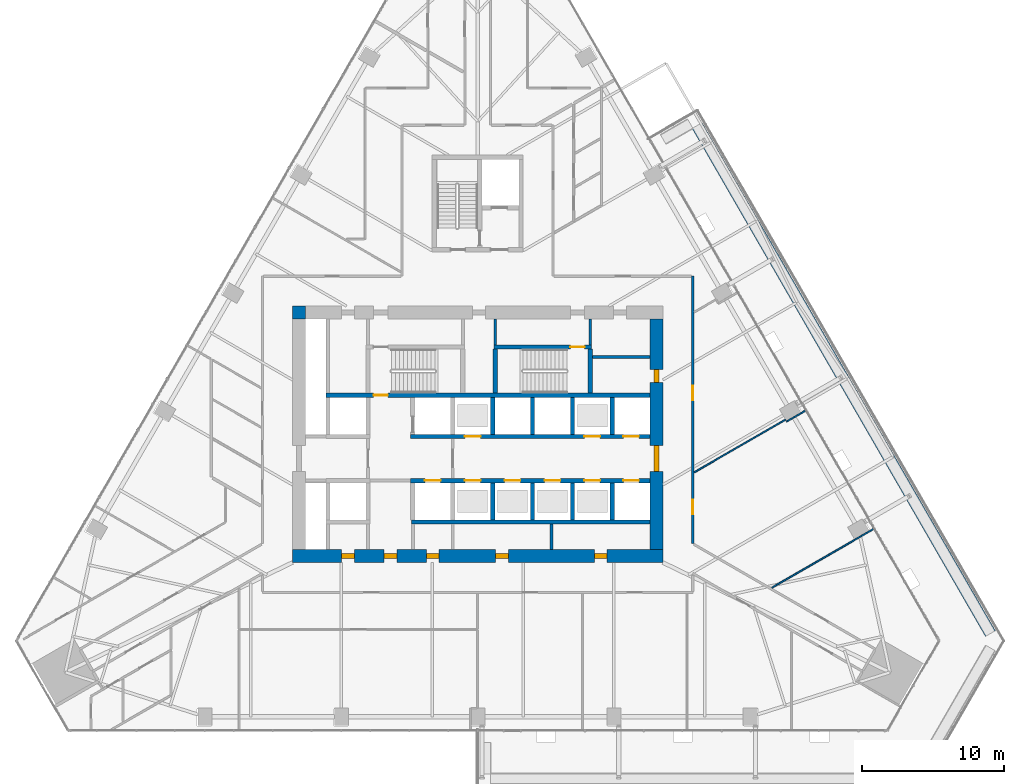
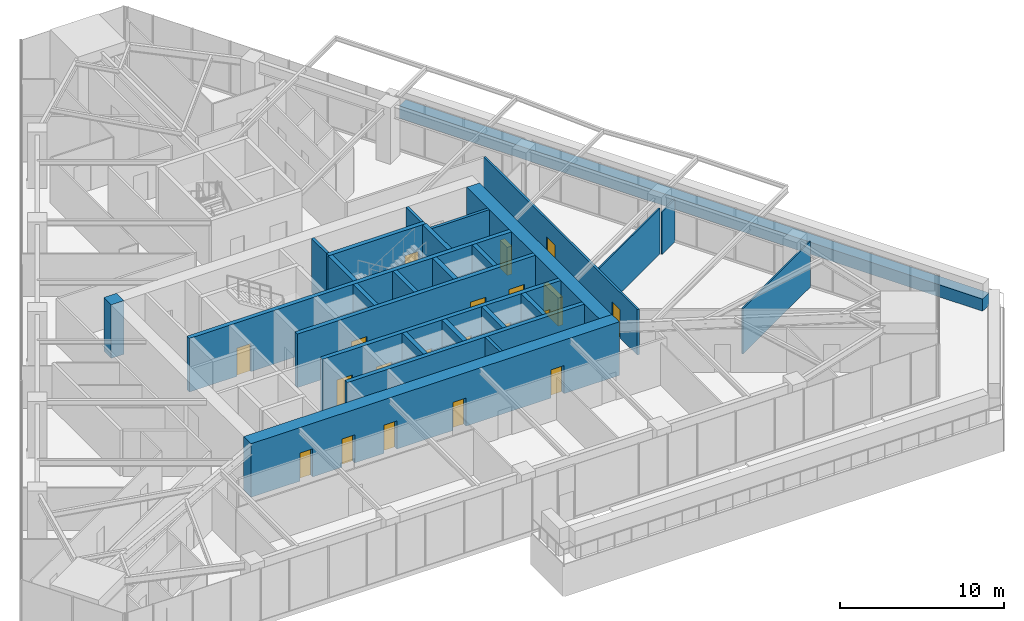
# One storey, part 23 of 29: 27 walls, 20 doors, 20 openings.
"""IFC4 building model written with IfcOpenShell, lengths in metres."""

from ifc_helpers import new_model, si_unit, direction, frame, frame_2d, origin, place, context, subcontext, project, spatial, rectangle, extrude, material, layer, layer_set, type_object, element, fill, save


model = new_model("IFC4")

# Units and contexts
model_context = context("Model", 3, precision=1e-05, world=origin(), true_north=direction((0.0, 1.0)))
body_context = subcontext(model_context, "Body", "Model", "MODEL_VIEW")
ifc_project = project(units=[si_unit("LENGTHUNIT", "METRE"), si_unit("AREAUNIT", "SQUARE_METRE"), si_unit("VOLUMEUNIT", "CUBIC_METRE"), si_unit("PLANEANGLEUNIT", "RADIAN"), si_unit("MASSUNIT", "GRAM", prefix="KILO")], contexts=[model_context])

# Site, building, storey
site_placement = place(None, origin())
site = spatial("IfcSite", under=ifc_project, at=site_placement, CompositionType="ELEMENT")
building_placement = place(site_placement, origin())
building = spatial("IfcBuilding", under=site, at=building_placement, Name="Firuza Gate Tower and Library", CompositionType="ELEMENT")
storey_placement = place(building_placement, frame((0.0, 0.0, 48.39990234375)))
storey = spatial("IfcBuildingStorey", under=building, at=storey_placement, Name="L10", CompositionType="ELEMENT", Elevation=48.39990234375)

# Walls
ifc_material_1 = material(Name="Plasterboard on steel studs", Category="steel")
ifc_layer_1 = layer(ifc_material_1, 0.199951171875)
ifc_layer_set_1 = layer_set([ifc_layer_1], Name="Core partition 200 EI 120")
wall_type_1 = type_object("IfcWallType", Name="Core partition 200 EI 120", PredefinedType="PARTITIONING", material=ifc_layer_set_1)
wall_1_placement = place(storey_placement, frame((80.175048828125, 66.89990234375, 0.0), z_axis=(0.0, 0.0, 1.0), x_axis=(0.0, 1.0, 0.0)))
element("IfcWall", 1, at=wall_1_placement, inside=storey, type_object=wall_type_1, Name="Core partition L10 15", PredefinedType="PARTITIONING", context=body_context, shape_type="SweptSolid", body=[
    extrude(rectangle(XDim=1.800048828125, YDim=0.199951171875, at=frame_2d((0.89990234375, 0.0))), origin(), (0.0, 0.0, 1.0), 4.0),
])
ifc_material_2 = material(Name="Plasterboard on steel studs", Category="steel")
ifc_layer_2 = layer(ifc_material_2, 0.199951171875)
ifc_layer_set_2 = layer_set([ifc_layer_2], Name="Core partition 200 EI 60")
wall_type_2 = type_object("IfcWallType", Name="Core partition 200 EI 60", PredefinedType="PARTITIONING", material=ifc_layer_set_2)
wall_2_placement = place(storey_placement, frame((83.050048828125, 80.425048828125, 0.0), z_axis=(0.0, 0.0, 1.0), x_axis=(1.0, 0.0, 0.0)))
element("IfcWall", 2, at=wall_2_placement, inside=storey, type_object=wall_type_2, Name="Core partition L10 4", PredefinedType="PARTITIONING", context=body_context, shape_type="SweptSolid", body=[
    extrude(rectangle(XDim=4.050048828125, YDim=0.199951171875, at=frame_2d((2.02490234375, 0.0))), origin(), (0.0, 0.0, 1.0), 4.0),
])
for number, where, z_axis, x_axis, name in (
    (3, (76.239990234375, 81.280029296875, 0.0), (0.0, 0.0, 1.0), (0.0, 1.0, 0.0), "Core partition L10 14"),
    (4, (82.89990234375, 81.280029296875, 0.0), (0.0, 0.0, 1.0), (0.0, 1.0, 0.0), "Core partition L10 16"),
):
    element("IfcWall", number, at=place(storey_placement, frame(where, z_axis=z_axis, x_axis=x_axis)), inside=storey, type_object=wall_type_2, Name=name, PredefinedType="PARTITIONING", context=body_context, shape_type="SweptSolid", body=[
        extrude(rectangle(XDim=1.820068359375, YDim=0.199951171875, at=frame_2d((0.91015625, 0.0))), origin(), (0.0, 0.0, 1.0), 4.0),
    ])
ifc_material_3 = material(Name="Concrete C80/95", Category="concrete")
ifc_layer_3 = layer(ifc_material_3, 0.300048828125)
ifc_layer_set_3 = layer_set([ifc_layer_3], Name="Core wall 300 C80/95")
wall_type_3 = type_object("IfcWallType", Name="Core wall 300 C80/95", PredefinedType="SHEAR", material=ifc_layer_set_3)
wall_3_placement = place(storey_placement, frame((70.35009765625, 68.85009765625, 0.0), z_axis=(0.0, 0.0, 1.0), x_axis=(1.0, 0.0, 0.0)))
element("IfcWall", 5, at=wall_3_placement, inside=storey, type_object=wall_type_3, Name="Core wall L10 6", PredefinedType="SHEAR", context=body_context, shape_type="SweptSolid", body=[
    extrude(rectangle(XDim=16.75, YDim=0.300048828125, at=frame_2d((8.375, 0.0))), origin(), (0.0, 0.0, 1.0), 4.0),
])

# Wall, openings, doors
wall_4_placement = place(storey_placement, frame((70.300048828125, 71.75, 0.0), z_axis=(0.0, 0.0, 1.0), x_axis=(1.0, 0.0, 0.0)))
wall_4 = element("IfcWall", 6, at=wall_4_placement, inside=storey, type_object=wall_type_3, Name="Core wall L10 8", PredefinedType="SHEAR", context=body_context, shape_type="SweptSolid", body=[
    extrude(rectangle(XDim=16.800048828125, YDim=0.300048828125, at=frame_2d((8.39990234375, 0.0))), origin(), (0.0, 0.0, 1.0), 4.0),
])
opening_1_placement = place(wall_4_placement, frame((1.0, 0.0, 0.0)))
opening_1 = element("IfcOpeningElement", 7, at=opening_1_placement, cuts=wall_4, Name="Opening LD-FF1-L10", PredefinedType="OPENING", context=body_context, shape_type="SweptSolid", body=[
    extrude(rectangle(XDim=1.10009765625, YDim=2.10009765625, at=frame_2d((0.550048828125, 1.050048828125))), frame((0.0, 0.16015625, 0.0), z_axis=(0.0, -1.0, 0.0), x_axis=(1.0, 0.0, 0.0)), (0.0, 0.0, 1.0), 0.320068359375),
])
opening_2_placement = place(wall_4_placement, frame((3.800048828125, 0.0, 0.0)))
opening_2 = element("IfcOpeningElement", 8, at=opening_2_placement, cuts=wall_4, Name="Opening LD-LR1-L10", PredefinedType="OPENING", context=body_context, shape_type="SweptSolid", body=[
    extrude(rectangle(XDim=1.10009765625, YDim=2.10009765625, at=frame_2d((0.550048828125, 1.050048828125))), frame((0.0, 0.16015625, 0.0), z_axis=(0.0, -1.0, 0.0), x_axis=(1.0, 0.0, 0.0)), (0.0, 0.0, 1.0), 0.320068359375),
])
opening_3_placement = place(wall_4_placement, frame((6.60009765625, 0.0, 0.0)))
opening_3 = element("IfcOpeningElement", 9, at=opening_3_placement, cuts=wall_4, Name="Opening LD-LR2-L10", PredefinedType="OPENING", context=body_context, shape_type="SweptSolid", body=[
    extrude(rectangle(XDim=1.10009765625, YDim=2.10009765625, at=frame_2d((0.550048828125, 1.050048828125))), frame((0.0, 0.16015625, 0.0), z_axis=(0.0, -1.0, 0.0), x_axis=(1.0, 0.0, 0.0)), (0.0, 0.0, 1.0), 0.320068359375),
])
opening_4_placement = place(wall_4_placement, frame((9.39990234375, 0.0, 0.0)))
opening_4 = element("IfcOpeningElement", 10, at=opening_4_placement, cuts=wall_4, Name="Opening LD-LR3-L10", PredefinedType="OPENING", context=body_context, shape_type="SweptSolid", body=[
    extrude(rectangle(XDim=1.10009765625, YDim=2.10009765625, at=frame_2d((0.550048828125, 1.050048828125))), frame((0.0, 0.16015625, 0.0), z_axis=(0.0, -1.0, 0.0), x_axis=(1.0, 0.0, 0.0)), (0.0, 0.0, 1.0), 0.320068359375),
])
opening_5_placement = place(wall_4_placement, frame((12.199951171875, 0.0, 0.0)))
opening_5 = element("IfcOpeningElement", 11, at=opening_5_placement, cuts=wall_4, Name="Opening LD-LR5-L10", PredefinedType="OPENING", context=body_context, shape_type="SweptSolid", body=[
    extrude(rectangle(XDim=1.10009765625, YDim=2.10009765625, at=frame_2d((0.550048828125, 1.050048828125))), frame((0.0, 0.16015625, 0.0), z_axis=(0.0, -1.0, 0.0), x_axis=(1.0, 0.0, 0.0)), (0.0, 0.0, 1.0), 0.320068359375),
])
opening_6_placement = place(wall_4_placement, frame((14.925048828125, 0.0, 0.0)))
opening_6 = element("IfcOpeningElement", 12, at=opening_6_placement, cuts=wall_4, Name="Opening LD-LR7-L10", PredefinedType="OPENING", context=body_context, shape_type="SweptSolid", body=[
    extrude(rectangle(XDim=1.10009765625, YDim=2.10009765625, at=frame_2d((0.550048828125, 1.050048828125))), frame((0.0, 0.16015625, 0.0), z_axis=(0.0, -1.0, 0.0), x_axis=(1.0, 0.0, 0.0)), (0.0, 0.0, 1.0), 0.320068359375),
])
ifc_material_4 = material(Name="Stainless steel", Category="steel")
door_type_1 = type_object("IfcDoorType", Name="Lift landing door 1100x2100", OperationType="DOUBLE_DOOR_SLIDING", PredefinedType="DOOR", material=ifc_material_4)
door_1_placement = place(opening_1_placement, origin())
door_1 = element("IfcDoor", 13, at=door_1_placement, inside=storey, type_object=door_type_1, Name="Landing door FF1 L10", OperationType="DOUBLE_DOOR_SLIDING", OverallHeight=2.10009765625, OverallWidth=1.10009765625, PredefinedType="DOOR", context=body_context, shape_type="SweptSolid", body=[
    extrude(rectangle(XDim=1.10009765625, YDim=2.10009765625, at=frame_2d((0.550048828125, 1.050048828125))), frame((0.0, 0.02490234375, 0.0), z_axis=(0.0, -1.0, 0.0), x_axis=(1.0, 0.0, 0.0)), (0.0, 0.0, 1.0), 0.050048828125),
])
fill(opening_1, door_1)
door_2_placement = place(opening_2_placement, origin())
door_2 = element("IfcDoor", 14, at=door_2_placement, inside=storey, type_object=door_type_1, Name="Landing door LR1 L10", OperationType="DOUBLE_DOOR_SLIDING", OverallHeight=2.10009765625, OverallWidth=1.10009765625, PredefinedType="DOOR", context=body_context, shape_type="SweptSolid", body=[
    extrude(rectangle(XDim=1.10009765625, YDim=2.10009765625, at=frame_2d((0.550048828125, 1.050048828125))), frame((0.0, 0.02490234375, 0.0), z_axis=(0.0, -1.0, 0.0), x_axis=(1.0, 0.0, 0.0)), (0.0, 0.0, 1.0), 0.050048828125),
])
fill(opening_2, door_2)
door_3_placement = place(opening_3_placement, origin())
door_3 = element("IfcDoor", 15, at=door_3_placement, inside=storey, type_object=door_type_1, Name="Landing door LR2 L10", OperationType="DOUBLE_DOOR_SLIDING", OverallHeight=2.10009765625, OverallWidth=1.10009765625, PredefinedType="DOOR", context=body_context, shape_type="SweptSolid", body=[
    extrude(rectangle(XDim=1.10009765625, YDim=2.10009765625, at=frame_2d((0.550048828125, 1.050048828125))), frame((0.0, 0.02490234375, 0.0), z_axis=(0.0, -1.0, 0.0), x_axis=(1.0, 0.0, 0.0)), (0.0, 0.0, 1.0), 0.050048828125),
])
fill(opening_3, door_3)
door_4_placement = place(opening_4_placement, origin())
door_4 = element("IfcDoor", 16, at=door_4_placement, inside=storey, type_object=door_type_1, Name="Landing door LR3 L10", OperationType="DOUBLE_DOOR_SLIDING", OverallHeight=2.10009765625, OverallWidth=1.10009765625, PredefinedType="DOOR", context=body_context, shape_type="SweptSolid", body=[
    extrude(rectangle(XDim=1.10009765625, YDim=2.10009765625, at=frame_2d((0.550048828125, 1.050048828125))), frame((0.0, 0.02490234375, 0.0), z_axis=(0.0, -1.0, 0.0), x_axis=(1.0, 0.0, 0.0)), (0.0, 0.0, 1.0), 0.050048828125),
])
fill(opening_4, door_4)
door_5_placement = place(opening_5_placement, origin())
door_5 = element("IfcDoor", 17, at=door_5_placement, inside=storey, type_object=door_type_1, Name="Landing door LR5 L10", OperationType="DOUBLE_DOOR_SLIDING", OverallHeight=2.10009765625, OverallWidth=1.10009765625, PredefinedType="DOOR", context=body_context, shape_type="SweptSolid", body=[
    extrude(rectangle(XDim=1.10009765625, YDim=2.10009765625, at=frame_2d((0.550048828125, 1.050048828125))), frame((0.0, 0.02490234375, 0.0), z_axis=(0.0, -1.0, 0.0), x_axis=(1.0, 0.0, 0.0)), (0.0, 0.0, 1.0), 0.050048828125),
])
fill(opening_5, door_5)
door_6_placement = place(opening_6_placement, origin())
door_6 = element("IfcDoor", 18, at=door_6_placement, inside=storey, type_object=door_type_1, Name="Landing door LR7 L10", OperationType="DOUBLE_DOOR_SLIDING", OverallHeight=2.10009765625, OverallWidth=1.10009765625, PredefinedType="DOOR", context=body_context, shape_type="SweptSolid", body=[
    extrude(rectangle(XDim=1.10009765625, YDim=2.10009765625, at=frame_2d((0.550048828125, 1.050048828125))), frame((0.0, 0.02490234375, 0.0), z_axis=(0.0, -1.0, 0.0), x_axis=(1.0, 0.0, 0.0)), (0.0, 0.0, 1.0), 0.050048828125),
])
fill(opening_6, door_6)

wall_5_placement = place(storey_placement, frame((70.300048828125, 74.85009765625, 0.0), z_axis=(0.0, 0.0, 1.0), x_axis=(1.0, 0.0, 0.0)))
wall_5 = element("IfcWall", 19, at=wall_5_placement, inside=storey, type_object=wall_type_3, Name="Core wall L10 10", PredefinedType="SHEAR", context=body_context, shape_type="SweptSolid", body=[
    extrude(rectangle(XDim=16.800048828125, YDim=0.300048828125, at=frame_2d((8.39990234375, 0.0))), origin(), (0.0, 0.0, 1.0), 4.0),
])
opening_7_placement = place(wall_5_placement, frame((3.800048828125, 0.0, 0.0)))
opening_7 = element("IfcOpeningElement", 20, at=opening_7_placement, cuts=wall_5, Name="Opening LD-LR4-L10", PredefinedType="OPENING", context=body_context, shape_type="SweptSolid", body=[
    extrude(rectangle(XDim=1.10009765625, YDim=2.10009765625, at=frame_2d((0.550048828125, 1.050048828125))), frame((0.0, 0.16015625, 0.0), z_axis=(0.0, -1.0, 0.0), x_axis=(1.0, 0.0, 0.0)), (0.0, 0.0, 1.0), 0.320068359375),
])
opening_8_placement = place(wall_5_placement, frame((12.199951171875, 0.0, 0.0)))
opening_8 = element("IfcOpeningElement", 21, at=opening_8_placement, cuts=wall_5, Name="Opening LD-LR6-L10", PredefinedType="OPENING", context=body_context, shape_type="SweptSolid", body=[
    extrude(rectangle(XDim=1.10009765625, YDim=2.10009765625, at=frame_2d((0.550048828125, 1.050048828125))), frame((0.0, 0.16015625, 0.0), z_axis=(0.0, -1.0, 0.0), x_axis=(1.0, 0.0, 0.0)), (0.0, 0.0, 1.0), 0.320068359375),
])
opening_9_placement = place(wall_5_placement, frame((14.925048828125, 0.0, 0.0)))
opening_9 = element("IfcOpeningElement", 22, at=opening_9_placement, cuts=wall_5, Name="Opening LD-LR8-L10", PredefinedType="OPENING", context=body_context, shape_type="SweptSolid", body=[
    extrude(rectangle(XDim=1.10009765625, YDim=2.10009765625, at=frame_2d((0.550048828125, 1.050048828125))), frame((0.0, 0.16015625, 0.0), z_axis=(0.0, -1.0, 0.0), x_axis=(1.0, 0.0, 0.0)), (0.0, 0.0, 1.0), 0.320068359375),
])
door_7_placement = place(opening_7_placement, origin())
door_7 = element("IfcDoor", 23, at=door_7_placement, inside=storey, type_object=door_type_1, Name="Landing door LR4 L10", OperationType="DOUBLE_DOOR_SLIDING", OverallHeight=2.10009765625, OverallWidth=1.10009765625, PredefinedType="DOOR", context=body_context, shape_type="SweptSolid", body=[
    extrude(rectangle(XDim=1.10009765625, YDim=2.10009765625, at=frame_2d((0.550048828125, 1.050048828125))), frame((0.0, 0.02490234375, 0.0), z_axis=(0.0, -1.0, 0.0), x_axis=(1.0, 0.0, 0.0)), (0.0, 0.0, 1.0), 0.050048828125),
])
fill(opening_7, door_7)
door_8_placement = place(opening_8_placement, origin())
door_8 = element("IfcDoor", 24, at=door_8_placement, inside=storey, type_object=door_type_1, Name="Landing door LR6 L10", OperationType="DOUBLE_DOOR_SLIDING", OverallHeight=2.10009765625, OverallWidth=1.10009765625, PredefinedType="DOOR", context=body_context, shape_type="SweptSolid", body=[
    extrude(rectangle(XDim=1.10009765625, YDim=2.10009765625, at=frame_2d((0.550048828125, 1.050048828125))), frame((0.0, 0.02490234375, 0.0), z_axis=(0.0, -1.0, 0.0), x_axis=(1.0, 0.0, 0.0)), (0.0, 0.0, 1.0), 0.050048828125),
])
fill(opening_8, door_8)
door_9_placement = place(opening_9_placement, origin())
door_9 = element("IfcDoor", 25, at=door_9_placement, inside=storey, type_object=door_type_1, Name="Landing door LR8 L10", OperationType="DOUBLE_DOOR_SLIDING", OverallHeight=2.10009765625, OverallWidth=1.10009765625, PredefinedType="DOOR", context=body_context, shape_type="SweptSolid", body=[
    extrude(rectangle(XDim=1.10009765625, YDim=2.10009765625, at=frame_2d((0.550048828125, 1.050048828125))), frame((0.0, 0.02490234375, 0.0), z_axis=(0.0, -1.0, 0.0), x_axis=(1.0, 0.0, 0.0)), (0.0, 0.0, 1.0), 0.050048828125),
])
fill(opening_9, door_9)

# Walls
for number, where, z_axis, x_axis, name in (
    (26, (76.050048828125, 69.0, 0.0), (0.0, 0.0, 1.0), (0.0, 1.0, 0.0), "Core wall L10 19"),
    (27, (76.050048828125, 75.0, 0.0), (0.0, 0.0, 1.0), (0.0, 1.0, 0.0), "Core wall L10 20"),
    (28, (78.85009765625, 69.0, 0.0), (0.0, 0.0, 1.0), (0.0, 1.0, 0.0), "Core wall L10 21"),
    (29, (78.85009765625, 75.0, 0.0), (0.0, 0.0, 1.0), (0.0, 1.0, 0.0), "Core wall L10 22"),
    (30, (81.64990234375, 69.0, 0.0), (0.0, 0.0, 1.0), (0.0, 1.0, 0.0), "Core wall L10 23"),
    (31, (81.64990234375, 75.0, 0.0), (0.0, 0.0, 1.0), (0.0, 1.0, 0.0), "Core wall L10 24"),
    (32, (84.449951171875, 69.0, 0.0), (0.0, 0.0, 1.0), (0.0, 1.0, 0.0), "Core wall L10 25"),
    (33, (84.449951171875, 75.0, 0.0), (0.0, 0.0, 1.0), (0.0, 1.0, 0.0), "Core wall L10 26"),
):
    element("IfcWall", number, at=place(storey_placement, frame(where, z_axis=z_axis, x_axis=x_axis)), inside=storey, type_object=wall_type_3, Name=name, PredefinedType="SHEAR", context=body_context, shape_type="SweptSolid", body=[
        extrude(rectangle(XDim=2.60009765625, YDim=0.300048828125, at=frame_2d((1.300048828125, 0.0))), origin(), (0.0, 0.0, 1.0), 4.0),
    ])

# Wall, opening, door
wall_6_placement = place(storey_placement, frame((64.35009765625, 77.75, 0.0), z_axis=(0.0, 0.0, 1.0), x_axis=(1.0, 0.0, 0.0)))
wall_6 = element("IfcWall", 34, at=wall_6_placement, inside=storey, type_object=wall_type_3, Name="Core wall L10 27", PredefinedType="SHEAR", context=body_context, shape_type="SweptSolid", body=[
    extrude(rectangle(XDim=22.75, YDim=0.300048828125, at=frame_2d((11.375, 0.0))), origin(), (0.0, 0.0, 1.0), 4.0),
])
opening_10_placement = place(wall_6_placement, frame((3.344970703125, 0.0, 0.0)))
opening_10 = element("IfcOpeningElement", 35, at=opening_10_placement, cuts=wall_6, Name="Opening L10-K12", PredefinedType="OPENING", context=body_context, shape_type="SweptSolid", body=[
    extrude(rectangle(XDim=1.0, YDim=2.10009765625, at=frame_2d((0.5, 1.050048828125))), frame((0.0, 0.16015625, 0.0), z_axis=(0.0, -1.0, 0.0), x_axis=(1.0, 0.0, 0.0)), (0.0, 0.0, 1.0), 0.320068359375),
])
ifc_material_5 = material(Name="Steel", Category="steel")
door_type_2 = type_object("IfcDoorType", Name="Fire door 1000x2100 FD90", OperationType="NOTDEFINED", PredefinedType="DOOR", material=ifc_material_5)
door_10_placement = place(opening_10_placement, origin())
door_10 = element("IfcDoor", 36, at=door_10_placement, inside=storey, type_object=door_type_2, Name="Door L10-K12", OperationType="SINGLE_SWING_LEFT", OverallHeight=2.10009765625, OverallWidth=1.0, PredefinedType="DOOR", context=body_context, shape_type="SweptSolid", body=[
    extrude(rectangle(XDim=1.0, YDim=2.10009765625, at=frame_2d((0.5, 1.050048828125))), frame((0.0, 0.02490234375, 0.0), z_axis=(0.0, -1.0, 0.0), x_axis=(1.0, 0.0, 0.0)), (0.0, 0.0, 1.0), 0.050048828125),
])
fill(opening_10, door_10)

wall_7_placement = place(storey_placement, frame((76.139892578125, 81.1298828125, 0.0), z_axis=(0.0, 0.0, 1.0), x_axis=(1.0, 0.0, 0.0)))
wall_7 = element("IfcWall", 37, at=wall_7_placement, inside=storey, type_object=wall_type_3, Name="Core wall L10 29", PredefinedType="SHEAR", context=body_context, shape_type="SweptSolid", body=[
    extrude(rectangle(XDim=6.860107421875, YDim=0.300048828125, at=frame_2d((3.43017578125, 0.0))), origin(), (0.0, 0.0, 1.0), 4.0),
])
opening_11_placement = place(wall_7_placement, frame((5.364990234375, 0.0, 0.0)))
opening_11 = element("IfcOpeningElement", 38, at=opening_11_placement, cuts=wall_7, Name="Opening L10-K15", PredefinedType="OPENING", context=body_context, shape_type="SweptSolid", body=[
    extrude(rectangle(XDim=1.0, YDim=2.10009765625, at=frame_2d((0.5, 1.050048828125))), frame((0.0, 0.16015625, 0.0), z_axis=(0.0, -1.0, 0.0), x_axis=(1.0, 0.0, 0.0)), (0.0, 0.0, 1.0), 0.320068359375),
])
door_11_placement = place(opening_11_placement, origin())
door_11 = element("IfcDoor", 39, at=door_11_placement, inside=storey, type_object=door_type_2, Name="Door L10-K15", OperationType="SINGLE_SWING_RIGHT", OverallHeight=2.10009765625, OverallWidth=1.0, PredefinedType="DOOR", context=body_context, shape_type="SweptSolid", body=[
    extrude(rectangle(XDim=1.0, YDim=2.10009765625, at=frame_2d((0.5, 1.050048828125))), frame((0.0, 0.02490234375, 0.0), z_axis=(0.0, -1.0, 0.0), x_axis=(1.0, 0.0, 0.0)), (0.0, 0.0, 1.0), 0.050048828125),
])
fill(opening_11, door_11)

# Walls
for number, where, z_axis, x_axis, name in (
    (40, (76.239990234375, 77.89990234375, 0.0), (0.0, 0.0, 1.0), (0.0, 1.0, 0.0), "Core wall L10 32"),
    (41, (82.89990234375, 77.89990234375, 0.0), (0.0, 0.0, 1.0), (0.0, 1.0, 0.0), "Core wall L10 33"),
):
    element("IfcWall", number, at=place(storey_placement, frame(where, z_axis=z_axis, x_axis=x_axis)), inside=storey, type_object=wall_type_3, Name=name, PredefinedType="SHEAR", context=body_context, shape_type="SweptSolid", body=[
        extrude(rectangle(XDim=3.080078125, YDim=0.300048828125, at=frame_2d((1.5400390625, 0.0))), origin(), (0.0, 0.0, 1.0), 4.0),
    ])

# Wall, openings, doors
ifc_material_6 = material(Name="Concrete C80/95", Category="concrete")
ifc_layer_4 = layer(ifc_material_6, 0.89990234375)
ifc_layer_set_4 = layer_set([ifc_layer_4], Name="Core wall 900 C80/95")
wall_type_4 = type_object("IfcWallType", Name="Core wall 900 C80/95", PredefinedType="SHEAR", material=ifc_layer_set_4)
wall_8_placement = place(storey_placement, frame((62.0, 66.449951171875, 0.0), z_axis=(0.0, 0.0, 1.0), x_axis=(1.0, 0.0, 0.0)))
wall_8 = element("IfcWall", 42, at=wall_8_placement, inside=storey, type_object=wall_type_4, Name="Core wall L10 1", PredefinedType="SHEAR", context=body_context, shape_type="SweptSolid", body=[
    extrude(rectangle(XDim=26.0, YDim=0.89990234375, at=frame_2d((13.0, 0.0))), origin(), (0.0, 0.0, 1.0), 4.0),
])
opening_12_placement = place(wall_8_placement, frame((3.449951171875, 0.0, 0.0)))
opening_12 = element("IfcOpeningElement", 43, at=opening_12_placement, cuts=wall_8, Name="Opening L10-K24", PredefinedType="OPENING", context=body_context, shape_type="SweptSolid", body=[
    extrude(rectangle(XDim=0.89990234375, YDim=2.10009765625, at=frame_2d((0.449951171875, 1.050048828125))), frame((0.0, 0.4599609375, 0.0), z_axis=(0.0, -1.0, 0.0), x_axis=(1.0, 0.0, 0.0)), (0.0, 0.0, 1.0), 0.919921875),
])
opening_13_placement = place(wall_8_placement, frame((6.425048828125, 0.0, 0.0)))
opening_13 = element("IfcOpeningElement", 44, at=opening_13_placement, cuts=wall_8, Name="Opening L10-K25", PredefinedType="OPENING", context=body_context, shape_type="SweptSolid", body=[
    extrude(rectangle(XDim=0.89990234375, YDim=2.10009765625, at=frame_2d((0.449951171875, 1.050048828125))), frame((0.0, 0.4599609375, 0.0), z_axis=(0.0, -1.0, 0.0), x_axis=(1.0, 0.0, 0.0)), (0.0, 0.0, 1.0), 0.919921875),
])
opening_14_placement = place(wall_8_placement, frame((9.39990234375, 0.0, 0.0)))
opening_14 = element("IfcOpeningElement", 45, at=opening_14_placement, cuts=wall_8, Name="Opening L10-K26", PredefinedType="OPENING", context=body_context, shape_type="SweptSolid", body=[
    extrude(rectangle(XDim=0.89990234375, YDim=2.10009765625, at=frame_2d((0.449951171875, 1.050048828125))), frame((0.0, 0.4599609375, 0.0), z_axis=(0.0, -1.0, 0.0), x_axis=(1.0, 0.0, 0.0)), (0.0, 0.0, 1.0), 0.919921875),
])
opening_15_placement = place(wall_8_placement, frame((14.262451171875, 0.0, 0.0)))
opening_15 = element("IfcOpeningElement", 46, at=opening_15_placement, cuts=wall_8, Name="Opening L10-K27", PredefinedType="OPENING", context=body_context, shape_type="SweptSolid", body=[
    extrude(rectangle(XDim=0.89990234375, YDim=2.10009765625, at=frame_2d((0.449951171875, 1.050048828125))), frame((0.0, 0.4599609375, 0.0), z_axis=(0.0, -1.0, 0.0), x_axis=(1.0, 0.0, 0.0)), (0.0, 0.0, 1.0), 0.919921875),
])
opening_16_placement = place(wall_8_placement, frame((21.1875, 0.0, 0.0)))
opening_16 = element("IfcOpeningElement", 47, at=opening_16_placement, cuts=wall_8, Name="Opening L10-K28", PredefinedType="OPENING", context=body_context, shape_type="SweptSolid", body=[
    extrude(rectangle(XDim=0.89990234375, YDim=2.10009765625, at=frame_2d((0.449951171875, 1.050048828125))), frame((0.0, 0.4599609375, 0.0), z_axis=(0.0, -1.0, 0.0), x_axis=(1.0, 0.0, 0.0)), (0.0, 0.0, 1.0), 0.919921875),
])
ifc_material_7 = material(Name="Steel", Category="steel")
door_type_3 = type_object("IfcDoorType", Name="Fire door 900x2100 FD30S", OperationType="NOTDEFINED", PredefinedType="DOOR", material=ifc_material_7)
door_12_placement = place(opening_12_placement, origin())
door_12 = element("IfcDoor", 48, at=door_12_placement, inside=storey, type_object=door_type_3, Name="Door L10-K24", OperationType="SINGLE_SWING_LEFT", OverallHeight=2.10009765625, OverallWidth=0.89990234375, PredefinedType="DOOR", context=body_context, shape_type="SweptSolid", body=[
    extrude(rectangle(XDim=0.89990234375, YDim=2.10009765625, at=frame_2d((0.449951171875, 1.050048828125))), frame((0.0, 0.169921875, 0.0), z_axis=(0.0, -1.0, 0.0), x_axis=(1.0, 0.0, 0.0)), (0.0, 0.0, 1.0), 0.33984375),
])
fill(opening_12, door_12)
door_13_placement = place(opening_13_placement, origin())
door_13 = element("IfcDoor", 49, at=door_13_placement, inside=storey, type_object=door_type_3, Name="Door L10-K25", OperationType="SINGLE_SWING_RIGHT", OverallHeight=2.10009765625, OverallWidth=0.89990234375, PredefinedType="DOOR", context=body_context, shape_type="SweptSolid", body=[
    extrude(rectangle(XDim=0.89990234375, YDim=2.10009765625, at=frame_2d((0.449951171875, 1.050048828125))), frame((0.0, 0.169921875, 0.0), z_axis=(0.0, -1.0, 0.0), x_axis=(1.0, 0.0, 0.0)), (0.0, 0.0, 1.0), 0.33984375),
])
fill(opening_13, door_13)
door_14_placement = place(opening_14_placement, origin())
door_14 = element("IfcDoor", 50, at=door_14_placement, inside=storey, type_object=door_type_3, Name="Door L10-K26", OperationType="SINGLE_SWING_LEFT", OverallHeight=2.10009765625, OverallWidth=0.89990234375, PredefinedType="DOOR", context=body_context, shape_type="SweptSolid", body=[
    extrude(rectangle(XDim=0.89990234375, YDim=2.10009765625, at=frame_2d((0.449951171875, 1.050048828125))), frame((0.0, 0.169921875, 0.0), z_axis=(0.0, -1.0, 0.0), x_axis=(1.0, 0.0, 0.0)), (0.0, 0.0, 1.0), 0.33984375),
])
fill(opening_14, door_14)
door_15_placement = place(opening_15_placement, origin())
door_15 = element("IfcDoor", 51, at=door_15_placement, inside=storey, type_object=door_type_3, Name="Door L10-K27", OperationType="SINGLE_SWING_RIGHT", OverallHeight=2.10009765625, OverallWidth=0.89990234375, PredefinedType="DOOR", context=body_context, shape_type="SweptSolid", body=[
    extrude(rectangle(XDim=0.89990234375, YDim=2.10009765625, at=frame_2d((0.449951171875, 1.050048828125))), frame((0.0, 0.169921875, 0.0), z_axis=(0.0, -1.0, 0.0), x_axis=(1.0, 0.0, 0.0)), (0.0, 0.0, 1.0), 0.33984375),
])
fill(opening_15, door_15)
door_16_placement = place(opening_16_placement, origin())
door_16 = element("IfcDoor", 52, at=door_16_placement, inside=storey, type_object=door_type_3, Name="Door L10-K28", OperationType="SINGLE_SWING_LEFT", OverallHeight=2.10009765625, OverallWidth=0.89990234375, PredefinedType="DOOR", context=body_context, shape_type="SweptSolid", body=[
    extrude(rectangle(XDim=0.89990234375, YDim=2.10009765625, at=frame_2d((0.449951171875, 1.050048828125))), frame((0.0, 0.169921875, 0.0), z_axis=(0.0, -1.0, 0.0), x_axis=(1.0, 0.0, 0.0)), (0.0, 0.0, 1.0), 0.33984375),
])
fill(opening_16, door_16)

wall_9_placement = place(storey_placement, frame((87.550048828125, 66.89990234375, 0.0), z_axis=(0.0, 0.0, 1.0), x_axis=(0.0, 1.0, 0.0)))
wall_9 = element("IfcWall", 53, at=wall_9_placement, inside=storey, type_object=wall_type_4, Name="Core wall L10 4", PredefinedType="SHEAR", context=body_context, shape_type="SweptSolid", body=[
    extrude(rectangle(XDim=16.2001953125, YDim=0.89990234375, at=frame_2d((8.10009765625, 0.0))), origin(), (0.0, 0.0, 1.0), 4.0),
])
opening_17_placement = place(wall_9_placement, frame((5.5, 0.0, 0.0)))
opening_17 = element("IfcOpeningElement", 54, at=opening_17_placement, cuts=wall_9, Name="Opening L10-K23", PredefinedType="OPENING", context=body_context, shape_type="SweptSolid", body=[
    extrude(rectangle(XDim=1.800048828125, YDim=2.10009765625, at=frame_2d((0.89990234375, 1.050048828125))), frame((0.0, 0.4599609375, 0.0), z_axis=(0.0, -1.0, 0.0), x_axis=(1.0, 0.0, 0.0)), (0.0, 0.0, 1.0), 0.919921875),
])
opening_18_placement = place(wall_9_placement, frame((11.737548828125, 0.0, 0.0)))
opening_18 = element("IfcOpeningElement", 55, at=opening_18_placement, cuts=wall_9, Name="Opening L10-K31", PredefinedType="OPENING", context=body_context, shape_type="SweptSolid", body=[
    extrude(rectangle(XDim=0.89990234375, YDim=2.10009765625, at=frame_2d((0.449951171875, 1.050048828125))), frame((0.0, 0.4599609375, 0.0), z_axis=(0.0, -1.0, 0.0), x_axis=(1.0, 0.0, 0.0)), (0.0, 0.0, 1.0), 0.919921875),
])
ifc_material_8 = material(Name="Steel", Category="steel")
door_type_4 = type_object("IfcDoorType", Name="Fire door 1800x2100 FD30S", OperationType="NOTDEFINED", PredefinedType="DOOR", material=ifc_material_8)
door_17_placement = place(opening_17_placement, origin())
door_17 = element("IfcDoor", 56, at=door_17_placement, inside=storey, type_object=door_type_4, Name="Door L10-K23", OperationType="SINGLE_SWING_RIGHT", OverallHeight=2.10009765625, OverallWidth=1.800048828125, PredefinedType="DOOR", context=body_context, shape_type="SweptSolid", body=[
    extrude(rectangle(XDim=1.800048828125, YDim=2.10009765625, at=frame_2d((0.89990234375, 1.050048828125))), frame((0.0, 0.169921875, 0.0), z_axis=(0.0, -1.0, 0.0), x_axis=(1.0, 0.0, 0.0)), (0.0, 0.0, 1.0), 0.33984375),
])
fill(opening_17, door_17)
door_18_placement = place(opening_18_placement, origin())
door_18 = element("IfcDoor", 57, at=door_18_placement, inside=storey, type_object=door_type_3, Name="Door L10-K31", OperationType="SINGLE_SWING_RIGHT", OverallHeight=2.10009765625, OverallWidth=0.89990234375, PredefinedType="DOOR", context=body_context, shape_type="SweptSolid", body=[
    extrude(rectangle(XDim=0.89990234375, YDim=2.10009765625, at=frame_2d((0.449951171875, 1.050048828125))), frame((0.0, 0.169921875, 0.0), z_axis=(0.0, -1.0, 0.0), x_axis=(1.0, 0.0, 0.0)), (0.0, 0.0, 1.0), 0.33984375),
])
fill(opening_18, door_18)

# Wall
wall_10_placement = place(storey_placement, frame((62.0, 83.550048828125, 0.0), z_axis=(0.0, 0.0, 1.0), x_axis=(1.0, 0.0, 0.0)))
element("IfcWall", 58, at=wall_10_placement, inside=storey, type_object=wall_type_4, Name="Core wall L10 40", PredefinedType="SHEAR", context=body_context, shape_type="SweptSolid", body=[
    extrude(rectangle(XDim=0.89990234375, YDim=0.89990234375, at=frame_2d((0.449951171875, 0.0))), origin(), (0.0, 0.0, 1.0), 4.0),
])

# Wall, openings, doors
ifc_material_9 = material(Name="Gypsum board partition")
ifc_layer_5 = layer(ifc_material_9, 0.14990234375)
ifc_layer_set_5 = layer_set([ifc_layer_5], Name="Corridor wall 150 double board on steel studs")
wall_type_5 = type_object("IfcWallType", Name="Corridor wall 150 double board on steel studs", PredefinedType="PARTITIONING", material=ifc_layer_set_5)
wall_11_placement = place(storey_placement, frame((90.10009765625, 86.099609375, 0.0), z_axis=(0.0, 0.0, 1.0), x_axis=(0.0, -1.0, 0.0)))
wall_11 = element("IfcWall", 59, at=wall_11_placement, inside=storey, type_object=wall_type_5, Name="f:L10:w030", PredefinedType="PARTITIONING", context=body_context, shape_type="SweptSolid", body=[
    extrude(rectangle(XDim=18.7783203125, YDim=0.14990234375, at=frame_2d((9.38916015625, 0.0))), origin(), (0.0, 0.0, 1.0), 3.400146484375),
])
opening_19_placement = place(wall_11_placement, frame((7.703857421875, 0.0, 0.0)))
opening_19 = element("IfcOpeningElement", 60, at=opening_19_placement, cuts=wall_11, Name="Opening L10-19", PredefinedType="OPENING", context=body_context, shape_type="SweptSolid", body=[
    extrude(rectangle(XDim=1.0, YDim=2.10009765625, at=frame_2d((0.5, 1.050048828125))), frame((0.0, 0.0849609375, 0.0), z_axis=(0.0, -1.0, 0.0), x_axis=(1.0, 0.0, 0.0)), (0.0, 0.0, 1.0), 0.169921875),
])
opening_20_placement = place(wall_11_placement, frame((15.700927734375, 0.0, 0.0)))
opening_20 = element("IfcOpeningElement", 61, at=opening_20_placement, cuts=wall_11, Name="Opening L10-20", PredefinedType="OPENING", context=body_context, shape_type="SweptSolid", body=[
    extrude(rectangle(XDim=1.0, YDim=2.10009765625, at=frame_2d((0.5, 1.050048828125))), frame((0.0, 0.0849609375, 0.0), z_axis=(0.0, -1.0, 0.0), x_axis=(1.0, 0.0, 0.0)), (0.0, 0.0, 1.0), 0.169921875),
])
ifc_material_10 = material(Name="Steel door and timber leaf", Category="steel")
door_type_5 = type_object("IfcDoorType", Name="Fire door 1000 x 2100 steel frame, timber leaf", OperationType="NOTDEFINED", PredefinedType="DOOR", material=ifc_material_10)
door_19_placement = place(opening_19_placement, origin())
door_19 = element("IfcDoor", 62, at=door_19_placement, inside=storey, type_object=door_type_5, Name="f:L10:d019", OperationType="SINGLE_SWING_LEFT", OverallHeight=2.10009765625, OverallWidth=1.0, PredefinedType="DOOR", context=body_context, shape_type="SweptSolid", body=[
    extrude(rectangle(XDim=1.0, YDim=2.10009765625, at=frame_2d((0.5, 1.050048828125))), frame((0.0, 0.02490234375, 0.0), z_axis=(0.0, -1.0, 0.0), x_axis=(1.0, 0.0, 0.0)), (0.0, 0.0, 1.0), 0.050048828125),
])
fill(opening_19, door_19)
door_20_placement = place(opening_20_placement, origin())
door_20 = element("IfcDoor", 63, at=door_20_placement, inside=storey, type_object=door_type_5, Name="f:L10:d020", OperationType="SINGLE_SWING_RIGHT", OverallHeight=2.10009765625, OverallWidth=1.0, PredefinedType="DOOR", context=body_context, shape_type="SweptSolid", body=[
    extrude(rectangle(XDim=1.0, YDim=2.10009765625, at=frame_2d((0.5, 1.050048828125))), frame((0.0, 0.02490234375, 0.0), z_axis=(0.0, -1.0, 0.0), x_axis=(1.0, 0.0, 0.0)), (0.0, 0.0, 1.0), 0.050048828125),
])
fill(opening_20, door_20)

# Walls
ifc_material_11 = material(Name="Gypsum board partition")
ifc_layer_6 = layer(ifc_material_11, 0.10009765625)
ifc_layer_set_6 = layer_set([ifc_layer_6], Name="Partition 100 gypsum board on steel studs")
wall_type_6 = type_object("IfcWallType", Name="Partition 100 gypsum board on steel studs", PredefinedType="PARTITIONING", material=ifc_layer_set_6)
wall_12_placement = place(storey_placement, frame((95.653076171875, 64.23193359375, 0.0), z_axis=(0.0, 0.0, 1.0), x_axis=(0.866031516549, 0.499989412232, 0.0)))
element("IfcWall", 64, at=wall_12_placement, inside=storey, type_object=wall_type_6, Name="f:L10:w011", PredefinedType="PARTITIONING", context=body_context, shape_type="SweptSolid", body=[
    extrude(rectangle(XDim=8.285888671875, YDim=0.10009765625, at=frame_2d((4.14306640625, 0.0))), origin(), (0.0, 0.0, 1.0), 3.400146484375),
])
wall_13_placement = place(storey_placement, frame((96.685791015625, 75.89599609375, 0.0), z_axis=(0.0, 0.0, 1.0), x_axis=(0.866018739521, 0.500011542666, 0.0)))
element("IfcWall", 65, at=wall_13_placement, inside=storey, type_object=wall_type_6, Name="f:L10:w012", PredefinedType="PARTITIONING", context=body_context, shape_type="SweptSolid", body=[
    extrude(rectangle(XDim=1.5595703125, YDim=0.10009765625, at=frame_2d((0.77978515625, 0.0))), origin(), (0.0, 0.0, 1.0), 3.1650390625),
])
wall_14_placement = place(storey_placement, frame((90.20068359375, 72.330810546875, 0.0), z_axis=(0.0, 0.0, 1.0), x_axis=(0.866022913937, 0.500004312517, 0.0)))
element("IfcWall", 66, at=wall_14_placement, inside=storey, type_object=wall_type_6, Name="f:L10:w013", PredefinedType="PARTITIONING", context=body_context, shape_type="SweptSolid", body=[
    extrude(rectangle(XDim=7.39794921875, YDim=0.10009765625, at=frame_2d((3.698974609375, 0.0))), origin(), (0.0, 0.0, 1.0), 3.400146484375),
])
ifc_material_12 = material(Name="Concrete C40/50", Category="concrete")
ifc_layer_7 = layer(ifc_material_12, 0.800048828125)
ifc_layer_set_7 = layer_set([ifc_layer_7], Name="Planter wall 800")
wall_type_7 = type_object("IfcWallType", Name="Planter wall 800", PredefinedType="SOLIDWALL", material=ifc_layer_set_7)
wall_15_placement = place(storey_placement, frame((110.994140625, 61.011962890625, 0.0), z_axis=(0.0, 0.0, 1.0), x_axis=(-0.500000104629, 0.866025343377, 0.0)))
element("IfcWall", 67, at=wall_15_placement, inside=storey, type_object=wall_type_7, Name="PLANTER L10 4", PredefinedType="SOLIDWALL", context=body_context, shape_type="SweptSolid", body=[
    extrude(rectangle(XDim=41.17822265625, YDim=0.800048828125, at=frame_2d((20.589111328125, 0.0))), origin(), (0.0, 0.0, 1.0), 0.900146484375),
])

save(model, "model.ifc")
